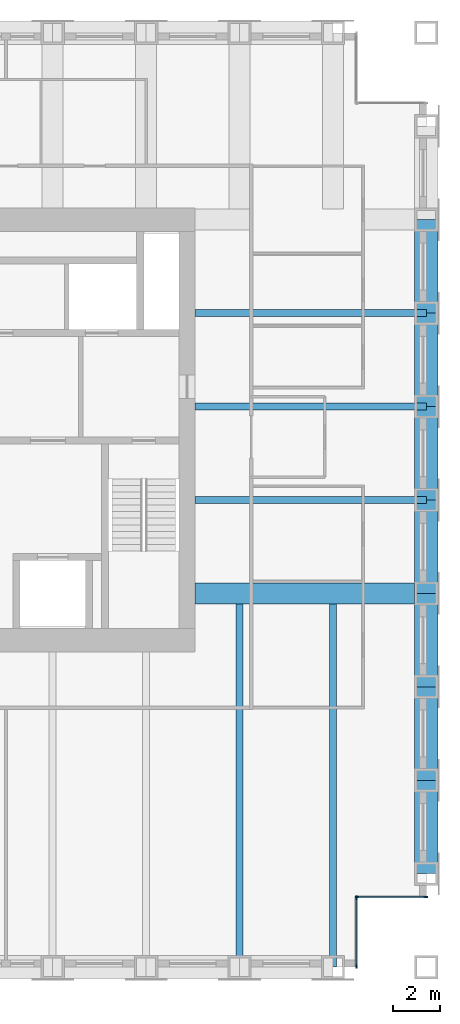
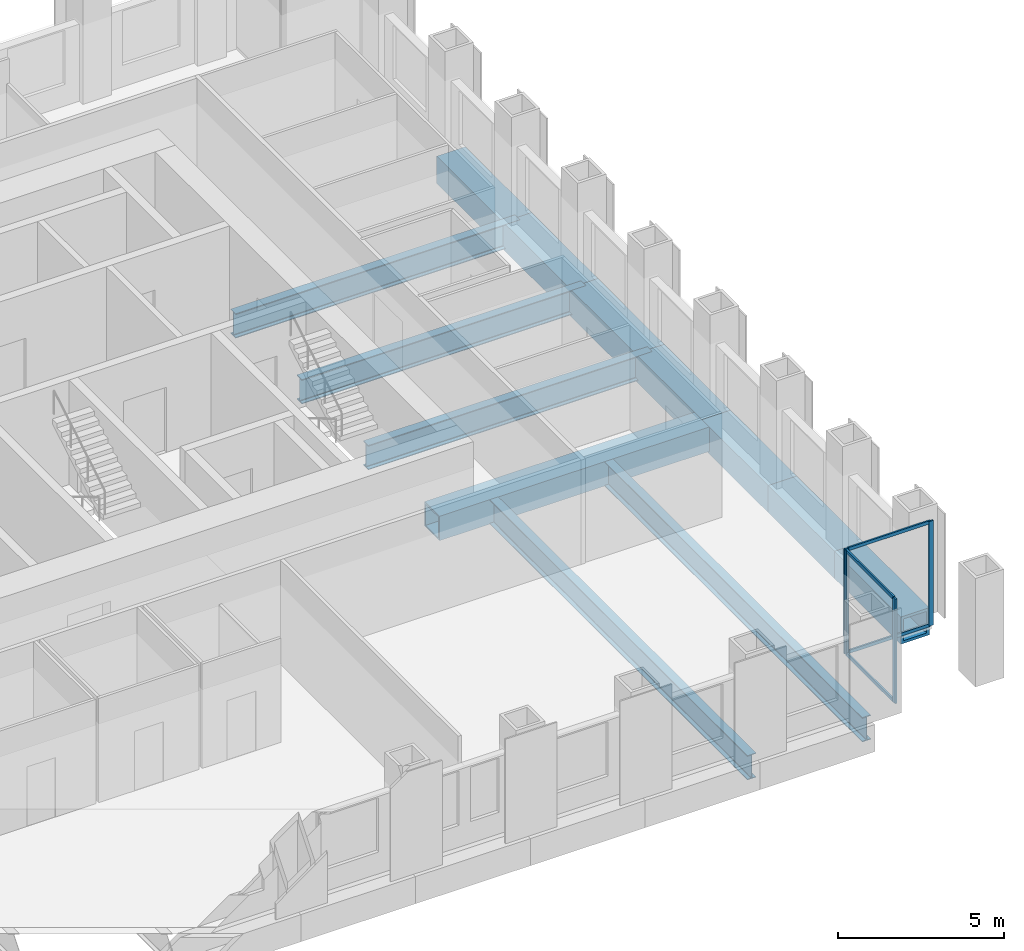
# One storey, part 4 of 13: 13 beams, 8 members, 2 elements without a shape of their own.
"""IFC4 building model written with IfcOpenShell, lengths in metres."""

import ifcopenshell
import ifcopenshell.guid

model = None  # the IFC model being written
_history = None  # IfcOwnerHistory: only IFC2X3 demands one
_inside = {}  # id of a spatial element -> (the spatial element, [elements in it])
_under = {}  # id of a project, library or spatial element -> (it, [spatial elements below it])
_declared = {}  # id of a project -> (the project, [libraries it declares])
_typed = {}  # id of a type object -> (the type object, [elements of that type])
_made_of = {}  # id of a material, layer set ... -> (it, [elements and type objects made of it])


def new_model(schema):
    """Start an empty IFC model of exactly this schema.

    Asked for "IFC4X3", IfcOpenShell would pick the latest addendum, in which some entities
    have other attributes; the version numbers below select the first issue.
    IFC2X3 requires an IfcOwnerHistory on every rooted entity: one is made here for all.
    """
    global model, _history
    if schema == "IFC4X3":
        model = ifcopenshell.file(schema_version=(4, 3, 0, 0))
    else:
        model = ifcopenshell.file(schema=schema)
    _inside.clear()
    _under.clear()
    _declared.clear()
    _typed.clear()
    _made_of.clear()
    _history = None
    if model.schema == "IFC2X3":
        org = make("IfcOrganization", Name="unknown")
        user = make(
            "IfcPersonAndOrganization",
            ThePerson=make("IfcPerson", FamilyName="unknown"),
            TheOrganization=org,
        )
        app = make(
            "IfcApplication",
            ApplicationDeveloper=org,
            Version="unknown",
            ApplicationFullName="unknown",
            ApplicationIdentifier="unknown",
        )
        _history = make(
            "IfcOwnerHistory",
            OwningUser=user,
            OwningApplication=app,
            ChangeAction="ADDED",
            CreationDate=0,
        )
    return model


def make(cls, **values):
    """One entity of the class cls with the attributes given. An attribute that is None is left unset."""
    return model.create_entity(
        cls, **{name: value for name, value in values.items() if value is not None}
    )


def rooted(cls, **values):
    """An entity with a GlobalId (a new one), such as an element, a storey or a relation."""
    return make(cls, GlobalId=ifcopenshell.guid.new(), OwnerHistory=_history, **values)


def si_unit(unit_type, name, prefix=None):
    """IfcSIUnit, for example si_unit("LENGTHUNIT", "METRE", prefix="MILLI")."""
    return make("IfcSIUnit", UnitType=unit_type, Prefix=prefix, Name=name)


def assignment(units):
    """IfcUnitAssignment: the units of a project."""
    return None if units is None else make("IfcUnitAssignment", Units=units)


def point(xyz):
    """IfcCartesianPoint."""
    return None if xyz is None else make("IfcCartesianPoint", Coordinates=xyz)


def direction(xyz):
    """IfcDirection."""
    return None if xyz is None else make("IfcDirection", DirectionRatios=xyz)


def frame(location, z_axis=None, x_axis=None):
    """IfcAxis2Placement3D, a coordinate frame: its origin and axes. An axis left out is left unset."""
    return make(
        "IfcAxis2Placement3D",
        Location=point(location),
        Axis=direction(z_axis),
        RefDirection=direction(x_axis),
    )


def frame_2d(location, x_axis=None):
    """IfcAxis2Placement2D, a coordinate frame in the plane: its origin and x axis."""
    return make(
        "IfcAxis2Placement2D", Location=point(location), RefDirection=direction(x_axis)
    )


def origin():
    """The frame at (0, 0, 0) with its axes left unset."""
    return frame((0.0, 0.0, 0.0))


def origin_2d():
    """The frame at (0, 0) in the plane with its x axis left unset."""
    return frame_2d((0.0, 0.0))


def place(relative_to, where):
    """IfcLocalPlacement: puts the frame where relative to a parent placement (None: the world)."""
    return make(
        "IfcLocalPlacement", PlacementRelTo=relative_to, RelativePlacement=where
    )


def context(
    kind, dimensions, precision=None, world=None, true_north=None, identifier=None
):
    """IfcGeometricRepresentationContext, for example the 3D "Model" context."""
    return make(
        "IfcGeometricRepresentationContext",
        ContextIdentifier=identifier,
        ContextType=kind,
        CoordinateSpaceDimension=dimensions,
        Precision=precision,
        WorldCoordinateSystem=world,
        TrueNorth=true_north,
    )


def subcontext(parent, identifier, kind, view, scale=None):
    """IfcGeometricRepresentationSubContext, for example "Body" below "Model"."""
    return make(
        "IfcGeometricRepresentationSubContext",
        ContextIdentifier=identifier,
        ContextType=kind,
        ParentContext=parent,
        TargetScale=scale,
        TargetView=view,
    )


def project(units=None, contexts=None):
    """IfcProject with its units and contexts."""
    return rooted(
        "IfcProject",
        Name="project",
        RepresentationContexts=contexts,
        UnitsInContext=assignment(units),
    )


def spatial(cls, under=None, at=None, **own):
    """A site, building, storey or space (cls), placed at a placement, below another one or the project."""
    s = rooted(cls, ObjectPlacement=at, **own)
    if under is not None:
        _under.setdefault(under.id(), (under, []))[1].append(s)
    return s


def profile(cls, at=None, kind="AREA", **sizes):
    """A parametric profile (cls). Its sizes go by their IFC names, for example OverallWidth=200.0."""
    return make(cls, ProfileType=kind, Position=at, **sizes)


def rectangle(**sizes):
    """IfcRectangleProfileDef."""
    return profile("IfcRectangleProfileDef", **sizes)


def hollow_rectangle(**sizes):
    """IfcRectangleHollowProfileDef."""
    return profile("IfcRectangleHollowProfileDef", **sizes)


def i_section(**sizes):
    """IfcIShapeProfileDef."""
    return profile("IfcIShapeProfileDef", **sizes)


def extrude(swept, where, along, depth):
    """IfcExtrudedAreaSolid: the profile swept, set in the frame where, extruded along a direction by depth."""
    return make(
        "IfcExtrudedAreaSolid",
        SweptArea=swept,
        Position=where,
        ExtrudedDirection=direction(along),
        Depth=depth,
    )


def shape(context_of_items, identifier, shape_type, items):
    """IfcShapeRepresentation: the items that make up one representation, for example the "Body"."""
    return make(
        "IfcShapeRepresentation",
        ContextOfItems=context_of_items,
        RepresentationIdentifier=identifier,
        RepresentationType=shape_type,
        Items=items,
    )


def material(Name=None, Category=None):
    """IfcMaterial."""
    return make("IfcMaterial", Name=Name, Category=Category)


def material_profile(
    of_material, cross_section, Name=None, Category=None, Priority=None
):
    """IfcMaterialProfile: a cross section and its material."""
    return make(
        "IfcMaterialProfile",
        Name=Name,
        Material=of_material,
        Profile=cross_section,
        Priority=Priority,
        Category=Category,
    )


def profile_set(profiles, Name=None, composite=None):
    """IfcMaterialProfileSet."""
    return make(
        "IfcMaterialProfileSet",
        Name=Name,
        MaterialProfiles=profiles,
        CompositeProfile=composite,
    )


def made_of(thing, what):
    """Note that an element or type object is made of a material, layer set ...; save() writes the relation."""
    if what is not None:
        _made_of.setdefault(what.id(), (what, []))[1].append(thing)
    return thing


def type_object(cls, material=None, **own):
    """A type object (cls), such as IfcWallType, which elements share."""
    return made_of(rooted(cls, **own), material)


def element(
    cls,
    number,
    at=None,
    inside=None,
    cuts=None,
    type_object=None,
    material=None,
    context=None,
    identifier="Body",
    shape_type=None,
    held_by="IfcProductDefinitionShape",
    body=None,
    shapes=None,
    **own,
):
    """One element of the class cls, such as IfcWall. Its Tag is "e" and its number.

    at: its placement. inside: the storey or other place that contains it. cuts: it is an
    opening in that element (IfcRelVoidsElement). A single representation is given by context,
    identifier, shape_type and body (its items); several are given by shapes. held_by: the class
    of the entity that holds the representations. save() writes the other relations.
    """
    e = rooted(cls, Tag="e%d" % number, ObjectPlacement=at, **own)
    if body is not None:
        shapes = [shape(context, identifier, shape_type, body)]
    if shapes is not None:
        e.Representation = make(held_by, Representations=shapes)
    if inside is not None:
        _inside.setdefault(inside.id(), (inside, []))[1].append(e)
    if cuts is not None:
        rooted(
            "IfcRelVoidsElement", RelatingBuildingElement=cuts, RelatedOpeningElement=e
        )
    if type_object is not None:
        _typed.setdefault(type_object.id(), (type_object, []))[1].append(e)
    return made_of(e, material)


def aggregate(whole, parts):
    """IfcRelAggregates: a whole, such as a stair, and the parts it consists of."""
    return rooted("IfcRelAggregates", RelatingObject=whole, RelatedObjects=parts)


def save(model, path):
    """Write the relations noted so far, then the file.

    IfcRelAggregates (storeys below a building ...), IfcRelContainedInSpatialStructure (elements
    in a storey), IfcRelDefinesByType, IfcRelAssociatesMaterial and IfcRelDeclares: one each for
    every whole, place, type object, material and project.
    """
    for whole, parts in _under.values():
        aggregate(whole, parts)
    for where, things in _inside.values():
        rooted(
            "IfcRelContainedInSpatialStructure",
            RelatedElements=things,
            RelatingStructure=where,
        )
    for kind, things in _typed.values():
        rooted("IfcRelDefinesByType", RelatedObjects=things, RelatingType=kind)
    for what, things in _made_of.values():
        rooted("IfcRelAssociatesMaterial", RelatedObjects=things, RelatingMaterial=what)
    for by, libraries in _declared.values():
        rooted("IfcRelDeclares", RelatingContext=by, RelatedDefinitions=libraries)
    model.write(path)


model = new_model("IFC4")

# Units and contexts
model_context = context("Model", 3, precision=1e-05, world=origin(), true_north=direction((0.0, 1.0)))
body_context = subcontext(model_context, "Body", "Model", "MODEL_VIEW")
ifc_project = project(units=[si_unit("LENGTHUNIT", "METRE"), si_unit("AREAUNIT", "SQUARE_METRE"), si_unit("VOLUMEUNIT", "CUBIC_METRE"), si_unit("PLANEANGLEUNIT", "RADIAN"), si_unit("MASSUNIT", "GRAM", prefix="KILO")], contexts=[model_context])

# Site, building, storey
site_placement = place(None, origin())
site = spatial("IfcSite", under=ifc_project, at=site_placement, CompositionType="ELEMENT")
building_placement = place(site_placement, origin())
building = spatial("IfcBuilding", under=site, at=building_placement, Name="Rimbunsela Tower", CompositionType="ELEMENT")
storey_placement = place(building_placement, frame((0.0, 0.0, 294.199951171875)))
storey = spatial("IfcBuildingStorey", under=building, at=storey_placement, Name="L71", CompositionType="ELEMENT", Elevation=294.199951171875)

# Beams
ifc_material_1 = material(Name="Steel BJ 55 (fy 410 MPa)", Category="steel")
ifc_material_profile_1 = material_profile(ifc_material_1, hollow_rectangle(XDim=1.0, YDim=1.0, WallThickness=0.10009765625, at=origin_2d()), Name="BOX 1000x1000x100")
ifc_profile_set_1 = profile_set([ifc_material_profile_1], Name="Steel BJ 55 (fy 410 MPa)")
beam_type_1 = type_object("IfcBeamType", Name="Beam BOX 1000x1000x100", PredefinedType="BEAM", material=ifc_profile_set_1)
for number, where, z_axis, x_axis, name in (
    (1, (46.0, 8.0, -0.64990234375), (0.0, 1.0, 0.0), (-1.0, 0.0, 0.0), "Beam B3 L71"),
    (2, (46.0, 12.0, -0.64990234375), (0.0, 1.0, 0.0), (-1.0, 0.0, 0.0), "Beam B3 L71"),
    (3, (46.0, 16.0, -0.64990234375), (0.0, 1.0, 0.0), (-1.0, 0.0, 0.0), "Beam B3 L71"),
    (4, (46.0, 20.0, -0.64990234375), (0.0, 1.0, 0.0), (-1.0, 0.0, 0.0), "Beam B3 L71"),
    (5, (46.0, 24.0, -0.64990234375), (0.0, 1.0, 0.0), (-1.0, 0.0, 0.0), "Beam B3 L71"),
    (6, (46.0, 28.0, -0.64990234375), (0.0, 1.0, 0.0), (-1.0, 0.0, 0.0), "Beam B3 L71"),
    (7, (46.0, 32.0, -0.64990234375), (0.0, 1.0, 0.0), (-1.0, 0.0, 0.0), "Beam B3 L71"),
):
    element("IfcBeam", number, at=place(storey_placement, frame(where, z_axis=z_axis, x_axis=x_axis)), inside=storey, type_object=beam_type_1, Name=name, PredefinedType="BEAM", context=body_context, shape_type="SweptSolid", body=[
        extrude(hollow_rectangle(XDim=1.0, YDim=1.0, WallThickness=0.10009765625, at=origin_2d()), origin(), (0.0, 0.0, 1.0), 4.0),
    ])
ifc_material_2 = material(Name="Steel BJ 55 (fy 410 MPa)", Category="steel")
ifc_material_profile_2 = material_profile(ifc_material_2, hollow_rectangle(XDim=0.89990234375, YDim=0.89990234375, WallThickness=0.06005859375, at=origin_2d()), Name="BOX 900x900x60")
ifc_profile_set_2 = profile_set([ifc_material_profile_2], Name="Steel BJ 55 (fy 410 MPa)")
beam_type_2 = type_object("IfcBeamType", Name="Beam BOX 900x900x60", PredefinedType="BEAM", material=ifc_profile_set_2)
beam_placement = place(storey_placement, frame((36.10009765625, 20.0, -0.599853515625), z_axis=(1.0, 0.0, 0.0), x_axis=(0.0, 1.0, 0.0)))
element("IfcBeam", 8, at=beam_placement, inside=storey, type_object=beam_type_2, Name="Beam B1 L71", PredefinedType="BEAM", context=body_context, shape_type="SweptSolid", body=[
    extrude(hollow_rectangle(XDim=0.89990234375, YDim=0.89990234375, WallThickness=0.06005859375, at=origin_2d()), origin(), (0.0, 0.0, 1.0), 9.89990234375),
])
ifc_material_3 = material(Name="Steel BJ 55 (fy 410 MPa)", Category="steel")
ifc_material_profile_3 = material_profile(ifc_material_3, i_section(OverallWidth=0.300048828125, OverallDepth=0.89990234375, WebThickness=0.01611328125, FlangeThickness=0.028076171875, FilletRadius=0.028076171875, at=origin_2d()), Name="H 900x300x16x28")
ifc_profile_set_3 = profile_set([ifc_material_profile_3], Name="Steel BJ 55 (fy 410 MPa)")
beam_type_3 = type_object("IfcBeamType", Name="Beam H 900x300x16x28", PredefinedType="BEAM", material=ifc_profile_set_3)
for number, where, z_axis, x_axis, name in (
    (9, (36.10009765625, 24.0, -0.599853515625), (1.0, 0.0, 0.0), (0.0, 1.0, 0.0), "Beam B2 L71"),
    (10, (36.10009765625, 28.0, -0.599853515625), (1.0, 0.0, 0.0), (0.0, 1.0, 0.0), "Beam B2 L71"),
    (11, (36.10009765625, 32.0, -0.599853515625), (1.0, 0.0, 0.0), (0.0, 1.0, 0.0), "Beam B2 L71"),
):
    element("IfcBeam", number, at=place(storey_placement, frame(where, z_axis=z_axis, x_axis=x_axis)), inside=storey, type_object=beam_type_3, Name=name, PredefinedType="BEAM", context=body_context, shape_type="SweptSolid", body=[
        extrude(i_section(OverallWidth=0.300048828125, OverallDepth=0.89990234375, WebThickness=0.01611328125, FlangeThickness=0.028076171875, FilletRadius=0.028076171875, at=origin_2d()), origin(), (0.0, 0.0, 1.0), 9.89990234375),
    ])
for number, where, z_axis, x_axis, name in (
    (12, (38.0, 4.0, -0.599853515625), (0.0, 1.0, 0.0), (-1.0, 0.0, 0.0), "Beam B2 L71"),
    (13, (42.0, 4.0, -0.599853515625), (0.0, 1.0, 0.0), (-1.0, 0.0, 0.0), "Beam B2 L71"),
):
    element("IfcBeam", number, at=place(storey_placement, frame(where, z_axis=z_axis, x_axis=x_axis)), inside=storey, type_object=beam_type_3, Name=name, PredefinedType="BEAM", context=body_context, shape_type="SweptSolid", body=[
        extrude(i_section(OverallWidth=0.300048828125, OverallDepth=0.89990234375, WebThickness=0.01611328125, FlangeThickness=0.028076171875, FilletRadius=0.028076171875, at=origin_2d()), origin(), (0.0, 0.0, 1.0), 15.550048828125),
    ])

# Curtain wall, members
ifc_material_4 = material(Name="Aluminium curtain wall", Category="aluminium")
curtain_wall_type = type_object("IfcCurtainWallType", Name="Corner glazing", PredefinedType="USERDEFINED", material=ifc_material_4)
curtain_wall_1_placement = place(storey_placement, origin())
curtain_wall_1 = element("IfcCurtainWall", 14, at=curtain_wall_1_placement, inside=storey, type_object=curtain_wall_type, Name="Corner glazing L71", ObjectType="CORNER GLAZING", PredefinedType="USERDEFINED")
ifc_material_5 = material(Name="Aluminium mullion", Category="aluminium")
ifc_material_profile_4 = material_profile(ifc_material_5, rectangle(XDim=0.06005859375, YDim=0.159912109375, at=origin_2d()), Name="Mullion 60x160")
ifc_profile_set_4 = profile_set([ifc_material_profile_4], Name="Aluminium mullion")
member_type_1 = type_object("IfcMemberType", Name="Curtain wall mullion 60x160", PredefinedType="MULLION", material=ifc_profile_set_4)
member_1_placement = place(storey_placement, frame((43.0, 4.030029296875, 0.0), z_axis=(0.0, 0.0, 1.0), x_axis=(-1.0, 0.0, 0.0)))
member_1 = element("IfcMember", 15, at=member_1_placement, type_object=member_type_1, Name="CW5 mullion 1", PredefinedType="MULLION", context=body_context, shape_type="SweptSolid", body=[
    extrude(rectangle(XDim=0.06005859375, YDim=0.159912109375, at=origin_2d()), origin(), (0.0, 0.0, 1.0), 3.85009765625),
])
member_2_placement = place(storey_placement, frame((43.0, 6.969970703125, 0.0), z_axis=(0.0, 0.0, 1.0), x_axis=(-1.0, 0.0, 0.0)))
member_2 = element("IfcMember", 16, at=member_2_placement, type_object=member_type_1, Name="CW5 mullion 2", PredefinedType="MULLION", context=body_context, shape_type="SweptSolid", body=[
    extrude(rectangle(XDim=0.06005859375, YDim=0.159912109375, at=origin_2d()), origin(), (0.0, 0.0, 1.0), 3.85009765625),
])

curtain_wall_2_placement = place(storey_placement, origin())
curtain_wall_2 = element("IfcCurtainWall", 17, at=curtain_wall_2_placement, inside=storey, type_object=curtain_wall_type, Name="Corner glazing L71", ObjectType="CORNER GLAZING", PredefinedType="USERDEFINED")
member_3_placement = place(storey_placement, frame((43.030029296875, 7.0, 0.0), z_axis=(0.0, 0.0, 1.0), x_axis=(0.0, 1.0, 0.0)))
member_3 = element("IfcMember", 18, at=member_3_placement, type_object=member_type_1, Name="CW5 mullion 1", PredefinedType="MULLION", context=body_context, shape_type="SweptSolid", body=[
    extrude(rectangle(XDim=0.06005859375, YDim=0.159912109375, at=origin_2d()), origin(), (0.0, 0.0, 1.0), 3.85009765625),
])
member_4_placement = place(storey_placement, frame((45.969970703125, 7.0, 0.0), z_axis=(0.0, 0.0, 1.0), x_axis=(0.0, 1.0, 0.0)))
member_4 = element("IfcMember", 19, at=member_4_placement, type_object=member_type_1, Name="CW5 mullion 2", PredefinedType="MULLION", context=body_context, shape_type="SweptSolid", body=[
    extrude(rectangle(XDim=0.06005859375, YDim=0.159912109375, at=origin_2d()), origin(), (0.0, 0.0, 1.0), 3.85009765625),
])

# Member
ifc_material_6 = material(Name="Aluminium transom", Category="aluminium")
ifc_material_profile_5 = material_profile(ifc_material_6, rectangle(XDim=0.06005859375, YDim=0.1201171875, at=origin_2d()), Name="Transom 60x120")
ifc_profile_set_5 = profile_set([ifc_material_profile_5], Name="Aluminium transom")
member_type_2 = type_object("IfcMemberType", Name="Curtain wall transom 60x120", PredefinedType="USERDEFINED", material=ifc_profile_set_5)
member_5_placement = place(storey_placement, frame((43.0, 4.06005859375, 0.030029296875), z_axis=(0.0, 1.0, 0.0), x_axis=(-1.0, 0.0, 0.0)))
member_5 = element("IfcMember", 20, at=member_5_placement, type_object=member_type_2, Name="CW5 transom 1.1", ObjectType="TRANSOM", PredefinedType="USERDEFINED", context=body_context, shape_type="SweptSolid", body=[
    extrude(rectangle(XDim=0.06005859375, YDim=0.1201171875, at=origin_2d()), origin(), (0.0, 0.0, 1.0), 2.8798828125),
])

member_6_placement = place(storey_placement, frame((43.0, 4.06005859375, 3.820068359375), z_axis=(0.0, 1.0, 0.0), x_axis=(-1.0, 0.0, 0.0)))
member_6 = element("IfcMember", 21, at=member_6_placement, type_object=member_type_2, Name="CW5 transom 1.2", ObjectType="TRANSOM", PredefinedType="USERDEFINED", context=body_context, shape_type="SweptSolid", body=[
    extrude(rectangle(XDim=0.06005859375, YDim=0.1201171875, at=origin_2d()), origin(), (0.0, 0.0, 1.0), 2.8798828125),
])

aggregate(curtain_wall_1, [member_1, member_2, member_5, member_6])

member_7_placement = place(storey_placement, frame((43.06005859375, 7.0, 0.030029296875), z_axis=(1.0, 0.0, 0.0), x_axis=(0.0, 1.0, 0.0)))
member_7 = element("IfcMember", 22, at=member_7_placement, type_object=member_type_2, Name="CW5 transom 1.1", ObjectType="TRANSOM", PredefinedType="USERDEFINED", context=body_context, shape_type="SweptSolid", body=[
    extrude(rectangle(XDim=0.06005859375, YDim=0.1201171875, at=origin_2d()), origin(), (0.0, 0.0, 1.0), 2.8798828125),
])

member_8_placement = place(storey_placement, frame((43.06005859375, 7.0, 3.820068359375), z_axis=(1.0, 0.0, 0.0), x_axis=(0.0, 1.0, 0.0)))
member_8 = element("IfcMember", 23, at=member_8_placement, type_object=member_type_2, Name="CW5 transom 1.2", ObjectType="TRANSOM", PredefinedType="USERDEFINED", context=body_context, shape_type="SweptSolid", body=[
    extrude(rectangle(XDim=0.06005859375, YDim=0.1201171875, at=origin_2d()), origin(), (0.0, 0.0, 1.0), 2.8798828125),
])

aggregate(curtain_wall_2, [member_3, member_4, member_7, member_8])

save(model, "model.ifc")
